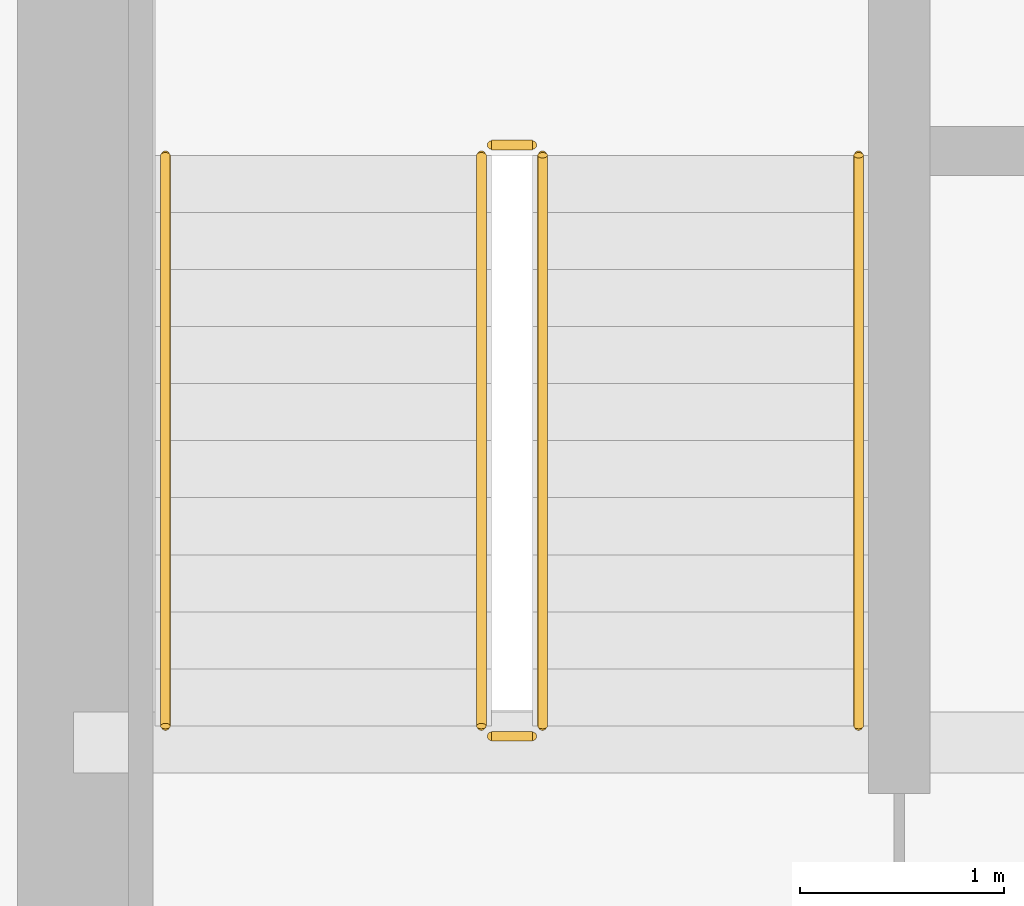
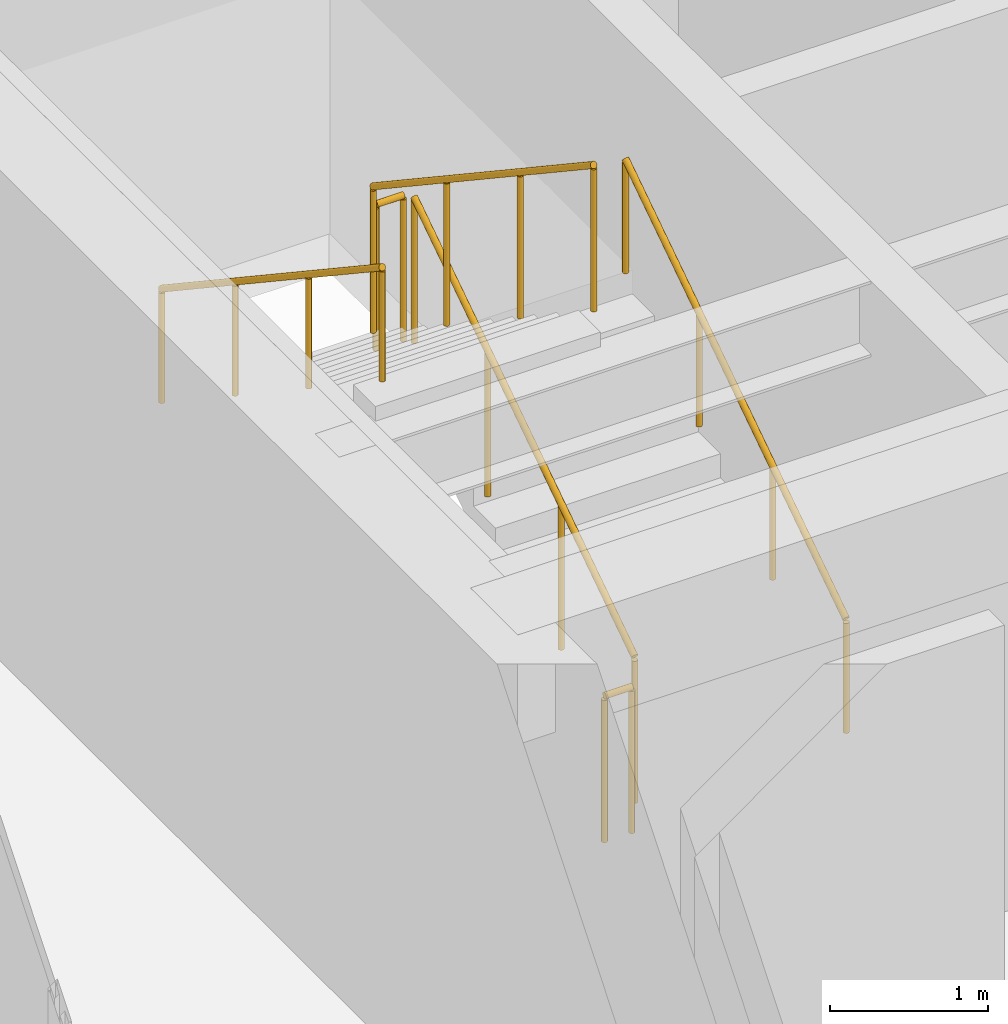
# One storey, part 32 of 33: 6 railings.
"""IFC4 building model written with IfcOpenShell, lengths in metres."""

from ifc_helpers import new_model, si_unit, direction, frame, origin, origin_2d, place, context, subcontext, project, spatial, circle, extrude, source, transform, mapped, material, type_object, type_shapes, element, save


model = new_model("IFC4")

# Units and contexts
model_context = context("Model", 3, precision=1e-05, world=origin(), true_north=direction((0.0, 1.0)))
body_context = subcontext(model_context, "Body", "Model", "MODEL_VIEW")
ifc_project = project(units=[si_unit("LENGTHUNIT", "METRE"), si_unit("AREAUNIT", "SQUARE_METRE"), si_unit("VOLUMEUNIT", "CUBIC_METRE"), si_unit("PLANEANGLEUNIT", "RADIAN"), si_unit("MASSUNIT", "GRAM", prefix="KILO")], contexts=[model_context])

# Site, building, storey
site_placement = place(None, origin())
site = spatial("IfcSite", under=ifc_project, at=site_placement, CompositionType="ELEMENT")
building_placement = place(site_placement, origin())
building = spatial("IfcBuilding", under=site, at=building_placement, Name="Haelvirn Gate Laboratories", CompositionType="ELEMENT")
storey_placement = place(building_placement, frame((0.0, 0.0, 209.60009765625)))
storey = spatial("IfcBuildingStorey", under=building, at=storey_placement, Name="L50", CompositionType="ELEMENT", Elevation=209.60009765625)

# Railings
ifc_material_1 = material(Name="Galvanised steel SM355 & stainless top rail", Category="steel")
railing_type_1 = type_object("IfcRailingType", Name="RL-GUARD-1150", PredefinedType="GUARDRAIL", material=ifc_material_1)
shared_shape_1 = source(origin(), body_context, "Body", "SweptSolid", [
    extrude(circle(Radius=0.02392578125, at=origin_2d()), frame((0.0, 0.0, 1.1259765625), z_axis=(-1.0, 0.0, 0.0), x_axis=(0.0, -1.0, 0.0)), (0.0, 0.0, 1.0), 0.199951171875),
    extrude(circle(Radius=0.02099609375, at=origin_2d()), origin(), (0.0, 0.0, 1.0), 1.101806640625),
    extrude(circle(Radius=0.02099609375, at=origin_2d()), frame((-0.199951171875, 0.0, 0.0)), (0.0, 0.0, 1.0), 1.101806640625),
])
for number, where, name in (
    (1, (9.64990234375, 29.550048828125, 2.0498046875), "L50 ST1 stair guard 2"),
    (2, (9.64990234375, 26.64990234375, 0.0), "L50 ST1 stair guard 4"),
):
    element("IfcRailing", number, at=place(storey_placement, frame(where)), inside=storey, type_object=railing_type_1, Name=name, PredefinedType="GUARDRAIL", context=body_context, shape_type="MappedRepresentation", body=[
        mapped(shared_shape_1, transform((0.0, 0.0, 0.0), scale=1.0)),
    ])
shared_shape_2 = source(origin(), body_context, "Body", "SweptSolid", [
    extrude(circle(Radius=0.02392578125, at=origin_2d()), frame((0.0, 0.0, 1.1259765625), z_axis=(0.0, 0.832485552168, 0.554046753832), x_axis=(-1.0, 0.0, 0.0)), (0.0, 0.0, 1.0), 3.363525390625),
    extrude(circle(Radius=0.02099609375, at=origin_2d()), origin(), (0.0, 0.0, 1.0), 1.101806640625),
    extrude(circle(Radius=0.02099609375, at=origin_2d()), frame((0.0, 0.933349609375, 0.62109375)), (0.0, 0.0, 1.0), 1.101806640625),
    extrude(circle(Radius=0.02099609375, at=origin_2d()), frame((0.0, 1.86669921875, 1.242431640625)), (0.0, 0.0, 1.0), 1.101806640625),
    extrude(circle(Radius=0.02099609375, at=origin_2d()), frame((0.0, 2.800048828125, 1.863525390625)), (0.0, 0.0, 1.0), 1.101806640625),
])
railing_1_placement = place(storey_placement, frame((9.699951171875, 26.699951171875, 0.186279296875)))
element("IfcRailing", 3, at=railing_1_placement, inside=storey, type_object=railing_type_1, Name="L50 ST1 stair guard 1", PredefinedType="GUARDRAIL", context=body_context, shape_type="MappedRepresentation", body=[
    mapped(shared_shape_2, transform((0.0, 0.0, 0.0), scale=1.0)),
])
ifc_material_2 = material(Name="Brushed stainless steel 316L", Category="steel")
railing_type_2 = type_object("IfcRailingType", Name="RL-HAND-920", PredefinedType="HANDRAIL", material=ifc_material_2)
shared_shape_3 = source(origin(), body_context, "Body", "SweptSolid", [
    extrude(circle(Radius=0.02392578125, at=origin_2d()), frame((0.0, 0.0, 0.8759765625), z_axis=(0.0, 0.832485552168, 0.554046753832), x_axis=(-1.0, 0.0, 0.0)), (0.0, 0.0, 1.0), 3.363525390625),
    extrude(circle(Radius=0.02099609375, at=origin_2d()), origin(), (0.0, 0.0, 1.0), 0.851806640625),
    extrude(circle(Radius=0.02099609375, at=origin_2d()), frame((0.0, 0.933349609375, 0.62109375)), (0.0, 0.0, 1.0), 0.851806640625),
    extrude(circle(Radius=0.02099609375, at=origin_2d()), frame((0.0, 1.86669921875, 1.242431640625)), (0.0, 0.0, 1.0), 0.851806640625),
    extrude(circle(Radius=0.02099609375, at=origin_2d()), frame((0.0, 2.800048828125, 1.863525390625)), (0.0, 0.0, 1.0), 0.851806640625),
])
railing_2_placement = place(storey_placement, frame((11.25, 26.699951171875, 0.186279296875)))
element("IfcRailing", 4, at=railing_2_placement, inside=storey, type_object=railing_type_2, Name="L50 ST1 stair handrail 1", PredefinedType="HANDRAIL", context=body_context, shape_type="MappedRepresentation", body=[
    mapped(shared_shape_3, transform((0.0, 0.0, 0.0), scale=1.0)),
])
shared_shape_4 = source(origin(), body_context, "Body", "SweptSolid", [
    extrude(circle(Radius=0.02392578125, at=origin_2d()), frame((0.0, 0.0, 1.1259765625), z_axis=(0.0, -0.832485552168, 0.554046753832), x_axis=(1.0, 0.0, 0.0)), (0.0, 0.0, 1.0), 3.363525390625),
    extrude(circle(Radius=0.02099609375, at=origin_2d()), origin(), (0.0, 0.0, 1.0), 1.101806640625),
    extrude(circle(Radius=0.02099609375, at=origin_2d()), frame((0.0, -0.933349609375, 0.62109375)), (0.0, 0.0, 1.0), 1.101806640625),
    extrude(circle(Radius=0.02099609375, at=origin_2d()), frame((0.0, -1.86669921875, 1.242431640625)), (0.0, 0.0, 1.0), 1.101806640625),
    extrude(circle(Radius=0.02099609375, at=origin_2d()), frame((0.0, -2.800048828125, 1.863525390625)), (0.0, 0.0, 1.0), 1.101806640625),
])
type_shapes(railing_type_1, [shared_shape_1, shared_shape_2, shared_shape_4])
railing_3_placement = place(storey_placement, frame((9.39990234375, 29.5, 2.236328125)))
element("IfcRailing", 5, at=railing_3_placement, inside=storey, type_object=railing_type_1, Name="L50 ST1 stair guard 3", PredefinedType="GUARDRAIL", context=body_context, shape_type="MappedRepresentation", body=[
    mapped(shared_shape_4, transform((0.0, 0.0, 0.0), scale=1.0)),
])
shared_shape_5 = source(origin(), body_context, "Body", "SweptSolid", [
    extrude(circle(Radius=0.02392578125, at=origin_2d()), frame((0.0, 0.0, 0.8759765625), z_axis=(0.0, -0.832485552168, 0.554046753832), x_axis=(1.0, 0.0, 0.0)), (0.0, 0.0, 1.0), 3.363525390625),
    extrude(circle(Radius=0.02099609375, at=origin_2d()), origin(), (0.0, 0.0, 1.0), 0.851806640625),
    extrude(circle(Radius=0.02099609375, at=origin_2d()), frame((0.0, -0.933349609375, 0.62109375)), (0.0, 0.0, 1.0), 0.851806640625),
    extrude(circle(Radius=0.02099609375, at=origin_2d()), frame((0.0, -1.86669921875, 1.242431640625)), (0.0, 0.0, 1.0), 0.851806640625),
    extrude(circle(Radius=0.02099609375, at=origin_2d()), frame((0.0, -2.800048828125, 1.863525390625)), (0.0, 0.0, 1.0), 0.851806640625),
])
type_shapes(railing_type_2, [shared_shape_3, shared_shape_5])
railing_4_placement = place(storey_placement, frame((7.85009765625, 29.5, 2.236328125)))
element("IfcRailing", 6, at=railing_4_placement, inside=storey, type_object=railing_type_2, Name="L50 ST1 stair handrail 2", PredefinedType="HANDRAIL", context=body_context, shape_type="MappedRepresentation", body=[
    mapped(shared_shape_5, transform((0.0, 0.0, 0.0), scale=1.0)),
])

save(model, "model.ifc")
